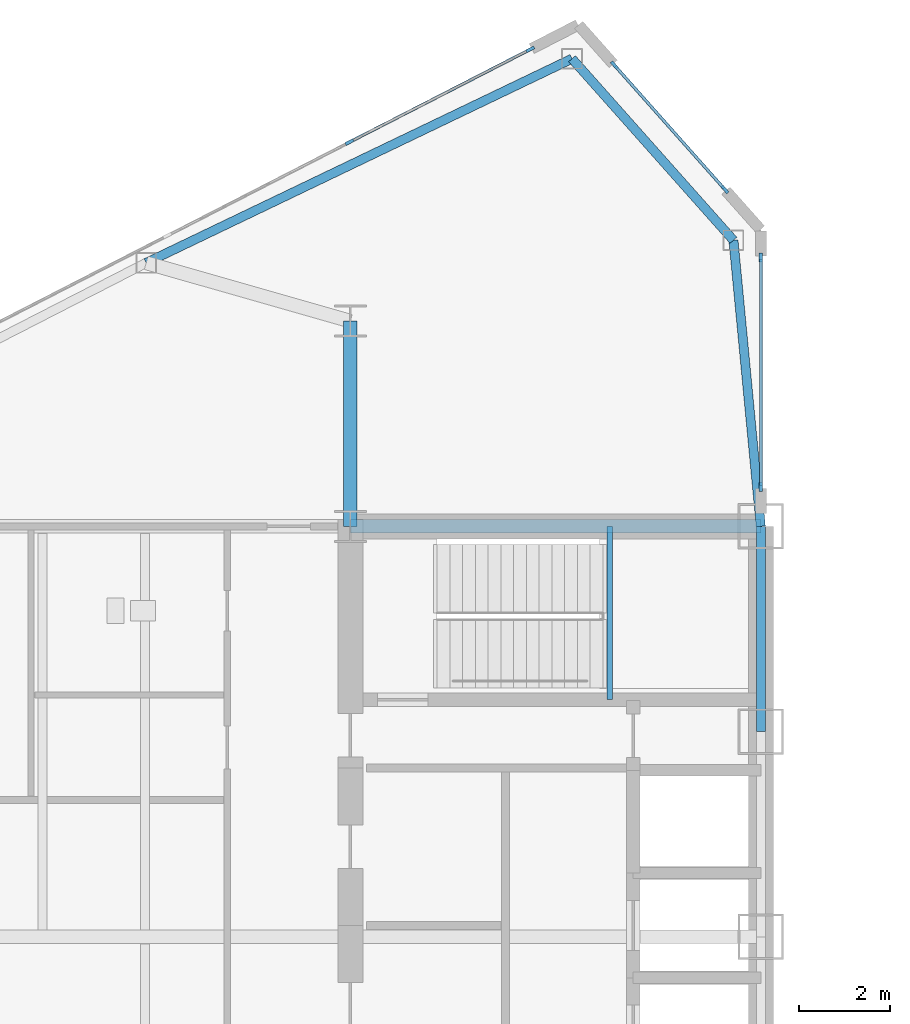
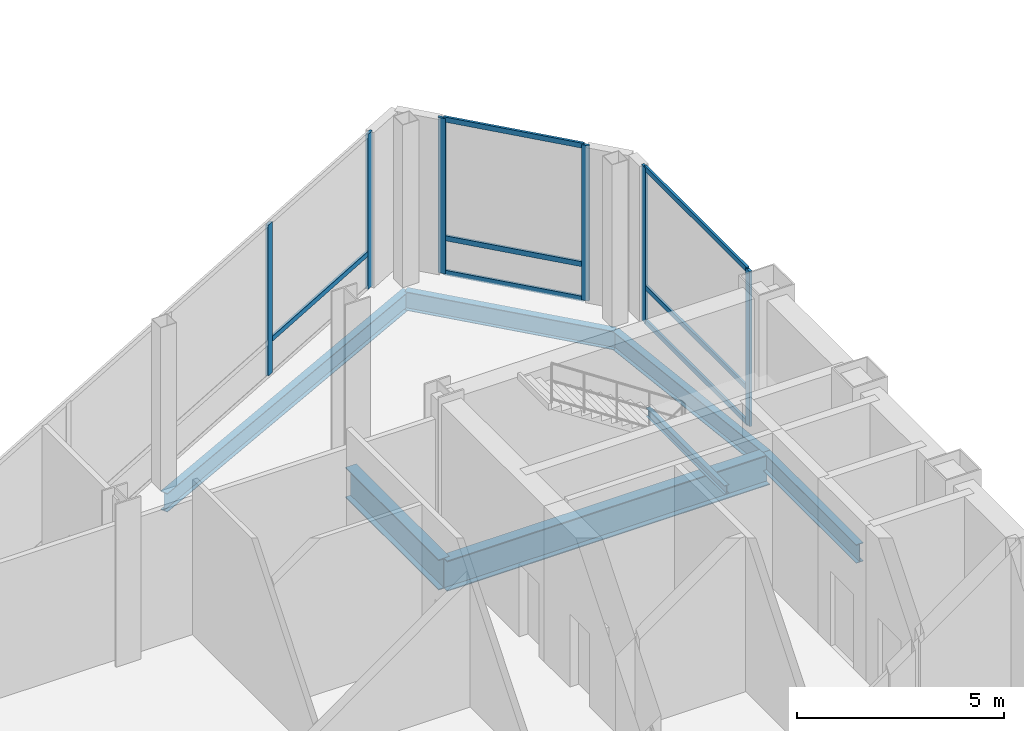
# One storey, part 7 of 22: 13 members, 7 beams, 3 elements without a shape of their own.
"""IFC4 building model written with IfcOpenShell, lengths in metres."""

from ifc_helpers import new_model, si_unit, direction, frame, origin, origin_2d, place, context, subcontext, project, spatial, rectangle, i_section, extrude, source, transform, mapped, material, layer, layer_set, material_profile, profile_set, type_object, type_shapes, element, aggregate, save


model = new_model("IFC4")

# Units and contexts
model_context = context("Model", 3, precision=1e-05, world=origin(), true_north=direction((0.0, 1.0)))
body_context = subcontext(model_context, "Body", "Model", "MODEL_VIEW")
ifc_project = project(units=[si_unit("LENGTHUNIT", "METRE"), si_unit("AREAUNIT", "SQUARE_METRE"), si_unit("VOLUMEUNIT", "CUBIC_METRE"), si_unit("PLANEANGLEUNIT", "RADIAN"), si_unit("MASSUNIT", "GRAM", prefix="KILO")], contexts=[model_context])

# Site, building, storey
site_placement = place(None, origin())
site = spatial("IfcSite", under=ifc_project, at=site_placement, CompositionType="ELEMENT")
building_placement = place(site_placement, origin())
building = spatial("IfcBuilding", under=site, at=building_placement, Name="Seokmaru Belvedere", CompositionType="ELEMENT")
storey_placement = place(building_placement, frame((0.0, 0.0, 135.60009765625)))
storey = spatial("IfcBuildingStorey", under=building, at=storey_placement, Name="L36", CompositionType="ELEMENT", Elevation=135.60009765625)

# Beams
ifc_material_1 = material(Name="Steel SM355 (355 MPa)", Category="steel")
ifc_material_profile_1 = material_profile(ifc_material_1, i_section(OverallWidth=0.300048828125, OverallDepth=0.89990234375, WebThickness=0.01611328125, FlangeThickness=0.028076171875, at=origin_2d()), Name="H-900x300x16x28")
ifc_profile_set_1 = profile_set([ifc_material_profile_1], Name="Steel SM355 (355 MPa)")
beam_type_1 = type_object("IfcBeamType", Name="Refuge Floor Girder H-900", PredefinedType="BEAM", material=ifc_profile_set_1)
shared_shape_1 = source(origin(), body_context, "Body", "SweptSolid", [
    extrude(i_section(OverallWidth=0.300048828125, OverallDepth=0.89990234375, WebThickness=0.01611328125, FlangeThickness=0.028076171875, at=origin_2d()), origin(), (0.0, 0.0, 1.0), 4.5),
])
beam_1_placement = place(storey_placement, frame((-36.5, 13.5, -0.710205078125), z_axis=(0.0, 1.0, 0.0), x_axis=(-1.0, 0.0, 0.0)))
element("IfcBeam", 1, at=beam_1_placement, inside=storey, type_object=beam_type_1, Name="L36 W Core Shoulder Girder N", PredefinedType="BEAM", context=body_context, shape_type="MappedRepresentation", body=[
    mapped(shared_shape_1, transform((0.0, 0.0, 0.0), scale=1.0)),
])
shared_shape_2 = source(origin(), body_context, "Body", "SweptSolid", [
    extrude(i_section(OverallWidth=0.300048828125, OverallDepth=0.89990234375, WebThickness=0.01611328125, FlangeThickness=0.028076171875, at=origin_2d()), origin(), (0.0, 0.0, 1.0), 9.0),
])
type_shapes(beam_type_1, [shared_shape_1, shared_shape_2])
beam_2_placement = place(storey_placement, frame((-36.5, 13.5, -0.710205078125), z_axis=(1.0, 0.0, 0.0), x_axis=(0.0, 1.0, 0.0)))
element("IfcBeam", 2, at=beam_2_placement, inside=storey, type_object=beam_type_1, Name="L36 W Core Tie Girder 4", PredefinedType="BEAM", context=body_context, shape_type="MappedRepresentation", body=[
    mapped(shared_shape_2, transform((0.0, 0.0, 0.0), scale=1.0)),
])
ifc_material_profile_2 = material_profile(ifc_material_1, i_section(OverallWidth=0.199951171875, OverallDepth=0.550048828125, WebThickness=0.010009765625, FlangeThickness=0.01611328125, at=origin_2d()), Name="H-550x200x10x16")
ifc_profile_set_2 = profile_set([ifc_material_profile_2], Name="Steel SM355 (355 MPa)")
beam_type_2 = type_object("IfcBeamType", Name="Sky-Lobby Spandrel Beam H-550", PredefinedType="SPANDREL", material=ifc_profile_set_2)
shared_shape_3 = source(origin(), body_context, "Body", "SweptSolid", [
    extrude(i_section(OverallWidth=0.199951171875, OverallDepth=0.550048828125, WebThickness=0.010009765625, FlangeThickness=0.01611328125, at=origin_2d()), origin(), (0.0, 0.0, 1.0), 4.5),
])
beam_3_placement = place(storey_placement, frame((-27.5, 9.0, -0.53515625), z_axis=(0.0, 1.0, 0.0), x_axis=(-1.0, 0.0, 0.0)))
element("IfcBeam", 3, at=beam_3_placement, inside=storey, type_object=beam_type_2, Name="L36 W Portal Spine Spandrel 5", PredefinedType="SPANDREL", context=body_context, shape_type="MappedRepresentation", body=[
    mapped(shared_shape_3, transform((0.0, 0.0, 0.0), scale=1.0)),
])
shared_shape_4 = source(origin(), body_context, "Body", "SweptSolid", [
    extrude(i_section(OverallWidth=0.199951171875, OverallDepth=0.550048828125, WebThickness=0.010009765625, FlangeThickness=0.01611328125, at=origin_2d()), origin(), (0.0, 0.0, 1.0), 10.353759765625),
])
beam_4_placement = place(storey_placement, frame((-31.6396484375, 23.75390625, -0.53515625), z_axis=(-0.901713202822, -0.432334708134, 0.0), x_axis=(0.432334708134, -0.901713202822, 0.0)))
element("IfcBeam", 4, at=beam_4_placement, inside=storey, type_object=beam_type_2, Name="L36 W Faceted Flank Spandrel N-1", PredefinedType="SPANDREL", context=body_context, shape_type="MappedRepresentation", body=[
    mapped(shared_shape_4, transform((0.0, 0.0, 0.0), scale=1.0)),
])
shared_shape_5 = source(origin(), body_context, "Body", "SweptSolid", [
    extrude(i_section(OverallWidth=0.199951171875, OverallDepth=0.550048828125, WebThickness=0.010009765625, FlangeThickness=0.01611328125, at=origin_2d()), origin(), (0.0, 0.0, 1.0), 5.32763671875),
])
beam_5_placement = place(storey_placement, frame((-31.6396484375, 23.75390625, -0.53515625), z_axis=(0.66436952742, -0.74740426212, 0.0), x_axis=(0.74740426212, 0.66436952742, 0.0)))
element("IfcBeam", 5, at=beam_5_placement, inside=storey, type_object=beam_type_2, Name="L36 W Shoulder Chamfer Spandrel N", PredefinedType="SPANDREL", context=body_context, shape_type="MappedRepresentation", body=[
    mapped(shared_shape_5, transform((0.0, 0.0, 0.0), scale=1.0)),
])
shared_shape_6 = source(origin(), body_context, "Body", "SweptSolid", [
    extrude(i_section(OverallWidth=0.199951171875, OverallDepth=0.550048828125, WebThickness=0.010009765625, FlangeThickness=0.01611328125, at=origin_2d()), origin(), (0.0, 0.0, 1.0), 6.300537109375),
])
type_shapes(beam_type_2, [shared_shape_3, shared_shape_4, shared_shape_5, shared_shape_6])
beam_6_placement = place(storey_placement, frame((-28.10009765625, 19.77197265625, -0.53515625), z_axis=(0.095244287992, -0.995453929424, 0.0), x_axis=(0.995453929424, 0.095244287992, 0.0)))
element("IfcBeam", 6, at=beam_6_placement, inside=storey, type_object=beam_type_2, Name="L36 W Shoulder Spine Spandrel N", PredefinedType="SPANDREL", context=body_context, shape_type="MappedRepresentation", body=[
    mapped(shared_shape_6, transform((0.0, 0.0, 0.0), scale=1.0)),
])

# Curtain wall, members
ifc_material_2 = material(Name="Bronze Triple Insulating Glass", Category="glass")
ifc_layer = layer(ifc_material_2, 0.195068359375)
ifc_layer_set = layer_set([ifc_layer], Name="Bronze Triple Insulating Glass")
curtain_wall_type = type_object("IfcCurtainWallType", Name="Sky-Lobby and Mid-Rise Curtain Wall System CW-4", PredefinedType="NOTDEFINED", material=ifc_layer_set)
curtain_wall_1_placement = place(storey_placement, origin())
curtain_wall_1 = element("IfcCurtainWall", 7, at=curtain_wall_1_placement, inside=storey, type_object=curtain_wall_type, Name="L36 Curtain Wall WF2", PredefinedType="NOTDEFINED")
ifc_material_3 = material(Name="Anodised Bronze Aluminium", Category="aluminium")
ifc_material_profile_3 = material_profile(ifc_material_3, rectangle(XDim=0.06494140625, YDim=0.14990234375, at=origin_2d()), Name="CW-T-65x150")
ifc_profile_set_3 = profile_set([ifc_material_profile_3], Name="Anodised Bronze Aluminium")
member_type_1 = type_object("IfcMemberType", Name="Bronze Unitised Transom 65x150", PredefinedType="USERDEFINED", material=ifc_profile_set_3)
shared_shape_7 = source(origin(), body_context, "Body", "SweptSolid", [
    extrude(rectangle(XDim=0.06494140625, YDim=0.14990234375, at=origin_2d()), origin(), (0.0, 0.0, 1.0), 3.580810546875),
])
member_1_placement = place(storey_placement, frame((-28.310546875, 20.911865234375, 0.032470703125), z_axis=(-0.66436383883, 0.747409318684, 0.0), x_axis=(-0.747409318684, -0.66436383883, 0.0)))
member_1 = element("IfcMember", 8, at=member_1_placement, type_object=member_type_1, Name="CW:L36:WF2 Continuous Transom 1", ObjectType="TRANSOM", PredefinedType="USERDEFINED", context=body_context, shape_type="MappedRepresentation", body=[
    mapped(shared_shape_7, transform((0.0, 0.0, 0.0), scale=1.0)),
])
member_2_placement = place(storey_placement, frame((-28.310546875, 20.911865234375, 4.54736328125), z_axis=(-0.66436383883, 0.747409318684, 0.0), x_axis=(-0.747409318684, -0.66436383883, 0.0)))
member_2 = element("IfcMember", 9, at=member_2_placement, type_object=member_type_1, Name="CW:L36:WF2 Continuous Transom 2", ObjectType="TRANSOM", PredefinedType="USERDEFINED", context=body_context, shape_type="MappedRepresentation", body=[
    mapped(shared_shape_7, transform((0.0, 0.0, 0.0), scale=1.0)),
])
member_3_placement = place(storey_placement, frame((-28.310546875, 20.911865234375, 1.0498046875), z_axis=(-0.66436383883, 0.747409318684, 0.0), x_axis=(-0.747409318684, -0.66436383883, 0.0)))
member_3 = element("IfcMember", 10, at=member_3_placement, type_object=member_type_1, Name="CW:L36:WF2 Spandrel Transom 1", ObjectType="TRANSOM", PredefinedType="USERDEFINED", context=body_context, shape_type="MappedRepresentation", body=[
    mapped(shared_shape_7, transform((0.0, 0.0, 0.0), scale=1.0)),
])

curtain_wall_2_placement = place(storey_placement, origin())
curtain_wall_2 = element("IfcCurtainWall", 11, at=curtain_wall_2_placement, inside=storey, type_object=curtain_wall_type, Name="L36 Curtain Wall WSP_2", PredefinedType="NOTDEFINED")
ifc_material_profile_4 = material_profile(ifc_material_3, rectangle(XDim=0.070068359375, YDim=0.195068359375, at=origin_2d()), Name="CW-M-70x195")
ifc_profile_set_4 = profile_set([ifc_material_profile_4], Name="Anodised Bronze Aluminium")
member_type_2 = type_object("IfcMemberType", Name="Bronze Unitised Mullion 70x195", PredefinedType="MULLION", material=ifc_profile_set_4)
shared_shape_8 = source(origin(), body_context, "Body", "SweptSolid", [
    extrude(rectangle(XDim=0.070068359375, YDim=0.195068359375, at=origin_2d()), origin(), (0.0, 0.0, 1.0), 4.579833984375),
])
member_4_placement = place(storey_placement, frame((-27.5, 14.364990234375, 0.0), z_axis=(0.0, 0.0, 1.0), x_axis=(-1.0, 0.0, 0.0)))
member_4 = element("IfcMember", 12, at=member_4_placement, type_object=member_type_2, Name="CW:L36:WSP_2 Mullion 1", PredefinedType="MULLION", context=body_context, shape_type="MappedRepresentation", body=[
    mapped(shared_shape_8, transform((0.0, 0.0, 0.0), scale=1.0)),
])
member_5_placement = place(storey_placement, frame((-27.5, 19.39501953125, 0.0), z_axis=(0.0, 0.0, 1.0), x_axis=(-1.0, 0.0, 0.0)))
member_5 = element("IfcMember", 13, at=member_5_placement, type_object=member_type_2, Name="CW:L36:WSP_2 Mullion 2", PredefinedType="MULLION", context=body_context, shape_type="MappedRepresentation", body=[
    mapped(shared_shape_8, transform((0.0, 0.0, 0.0), scale=1.0)),
])

# Member
member_6_placement = place(storey_placement, frame((-28.287353515625, 20.8857421875, 0.0), z_axis=(0.0, 0.0, 1.0), x_axis=(-0.747409774804, -0.664363325694, 0.0)))
member_6 = element("IfcMember", 14, at=member_6_placement, type_object=member_type_2, Name="CW:L36:WF2 Mullion 1", PredefinedType="MULLION", context=body_context, shape_type="MappedRepresentation", body=[
    mapped(shared_shape_8, transform((0.0, 0.0, 0.0), scale=1.0)),
])

member_7_placement = place(storey_placement, frame((-30.712646484375, 23.6142578125, 0.0), z_axis=(0.0, 0.0, 1.0), x_axis=(-0.747409774804, -0.664363325694, 0.0)))
member_7 = element("IfcMember", 15, at=member_7_placement, type_object=member_type_2, Name="CW:L36:WF2 Mullion 2", PredefinedType="MULLION", context=body_context, shape_type="MappedRepresentation", body=[
    mapped(shared_shape_8, transform((0.0, 0.0, 0.0), scale=1.0)),
])

aggregate(curtain_wall_1, [member_6, member_7, member_1, member_2, member_3])

# Curtain wall, member
curtain_wall_3_placement = place(storey_placement, origin())
curtain_wall_3 = element("IfcCurtainWall", 16, at=curtain_wall_3_placement, inside=storey, type_object=curtain_wall_type, Name="L36 Curtain Wall WF3", PredefinedType="NOTDEFINED")
member_8_placement = place(storey_placement, frame((-32.55419921875, 23.958984375, 0.0), z_axis=(0.0, 0.0, 1.0), x_axis=(0.456554528263, -0.889695432562, 0.0)))
member_8 = element("IfcMember", 17, at=member_8_placement, type_object=member_type_2, Name="CW:L36:WF3 Mullion 1", PredefinedType="MULLION", context=body_context, shape_type="MappedRepresentation", body=[
    mapped(shared_shape_8, transform((0.0, 0.0, 0.0), scale=1.0)),
])

# Member
shared_shape_9 = source(origin(), body_context, "Body", "SweptSolid", [
    extrude(rectangle(XDim=0.06494140625, YDim=0.14990234375, at=origin_2d()), origin(), (0.0, 0.0, 1.0), 4.960205078125),
])
member_9_placement = place(storey_placement, frame((-27.5, 14.39990234375, 0.032470703125), z_axis=(0.0, 1.0, 0.0), x_axis=(-1.0, 0.0, 0.0)))
member_9 = element("IfcMember", 18, at=member_9_placement, type_object=member_type_1, Name="CW:L36:WSP_2 Continuous Transom 1", ObjectType="TRANSOM", PredefinedType="USERDEFINED", context=body_context, shape_type="MappedRepresentation", body=[
    mapped(shared_shape_9, transform((0.0, 0.0, 0.0), scale=1.0)),
])

member_10_placement = place(storey_placement, frame((-27.5, 14.39990234375, 4.54736328125), z_axis=(0.0, 1.0, 0.0), x_axis=(-1.0, 0.0, 0.0)))
member_10 = element("IfcMember", 19, at=member_10_placement, type_object=member_type_1, Name="CW:L36:WSP_2 Continuous Transom 2", ObjectType="TRANSOM", PredefinedType="USERDEFINED", context=body_context, shape_type="MappedRepresentation", body=[
    mapped(shared_shape_9, transform((0.0, 0.0, 0.0), scale=1.0)),
])

member_11_placement = place(storey_placement, frame((-27.5, 14.39990234375, 1.0498046875), z_axis=(0.0, 1.0, 0.0), x_axis=(-1.0, 0.0, 0.0)))
member_11 = element("IfcMember", 20, at=member_11_placement, type_object=member_type_1, Name="CW:L36:WSP_2 Spandrel Transom 1", ObjectType="TRANSOM", PredefinedType="USERDEFINED", context=body_context, shape_type="MappedRepresentation", body=[
    mapped(shared_shape_9, transform((0.0, 0.0, 0.0), scale=1.0)),
])

aggregate(curtain_wall_2, [member_4, member_5, member_9, member_10, member_11])

shared_shape_10 = source(origin(), body_context, "Body", "SweptSolid", [
    extrude(rectangle(XDim=0.070068359375, YDim=0.195068359375, at=origin_2d()), origin(), (0.0, 0.0, 1.0), 4.449951171875),
])
type_shapes(member_type_2, [shared_shape_8, shared_shape_10])
member_12_placement = place(storey_placement, frame((-36.51806640625, 21.925048828125, 0.06494140625), z_axis=(0.0, 0.0, 1.0), x_axis=(0.456554528263, -0.889695432562, 0.0)))
member_12 = element("IfcMember", 21, at=member_12_placement, type_object=member_type_2, Name="CW:L36:WF3 Mullion 2", PredefinedType="MULLION", context=body_context, shape_type="MappedRepresentation", body=[
    mapped(shared_shape_10, transform((0.0, 0.0, 0.0), scale=1.0)),
])

shared_shape_11 = source(origin(), body_context, "Body", "SweptSolid", [
    extrude(rectangle(XDim=0.06494140625, YDim=0.14990234375, at=origin_2d()), origin(), (0.0, 0.0, 1.0), 4.38525390625),
])
type_shapes(member_type_1, [shared_shape_7, shared_shape_9, shared_shape_11])
member_13_placement = place(storey_placement, frame((-32.58544921875, 23.943115234375, 1.0498046875), z_axis=(-0.889678887593, -0.456586768282, 0.0), x_axis=(0.456586768282, -0.889678887593, 0.0)))
member_13 = element("IfcMember", 22, at=member_13_placement, type_object=member_type_1, Name="CW:L36:WF3 Spandrel Transom 1", ObjectType="TRANSOM", PredefinedType="USERDEFINED", context=body_context, shape_type="MappedRepresentation", body=[
    mapped(shared_shape_11, transform((0.0, 0.0, 0.0), scale=1.0)),
])

aggregate(curtain_wall_3, [member_8, member_12, member_13])

# Beam
ifc_material_profile_5 = material_profile(ifc_material_1, i_section(OverallWidth=0.125, OverallDepth=0.25, WebThickness=0.006103515625, FlangeThickness=0.009033203125, at=origin_2d()), Name="H-250x125x6x9")
ifc_profile_set_5 = profile_set([ifc_material_profile_5], Name="Steel SM355 (355 MPa)")
beam_type_3 = type_object("IfcBeamType", Name="Stair Mid-Landing Support Beam H-250", PredefinedType="JOIST", material=ifc_profile_set_5)
shared_shape_12 = source(origin(), body_context, "Body", "SweptSolid", [
    extrude(i_section(OverallWidth=0.125, OverallDepth=0.25, WebThickness=0.006103515625, FlangeThickness=0.009033203125, at=origin_2d()), origin(), (0.0, 0.0, 1.0), 3.800048828125),
])
type_shapes(beam_type_3, [shared_shape_12])
beam_7_placement = place(storey_placement, frame((-30.81005859375, 9.699951171875, 2.074951171875), z_axis=(0.0, 1.0, 0.0), x_axis=(-1.0, 0.0, 0.0)))
element("IfcBeam", 23, at=beam_7_placement, inside=storey, type_object=beam_type_3, Name="L36 Stair ST-W2 Mid-Landing Support Beam 1", PredefinedType="JOIST", context=body_context, shape_type="MappedRepresentation", body=[
    mapped(shared_shape_12, transform((0.0, 0.0, 0.0), scale=1.0)),
])

save(model, "model.ifc")
